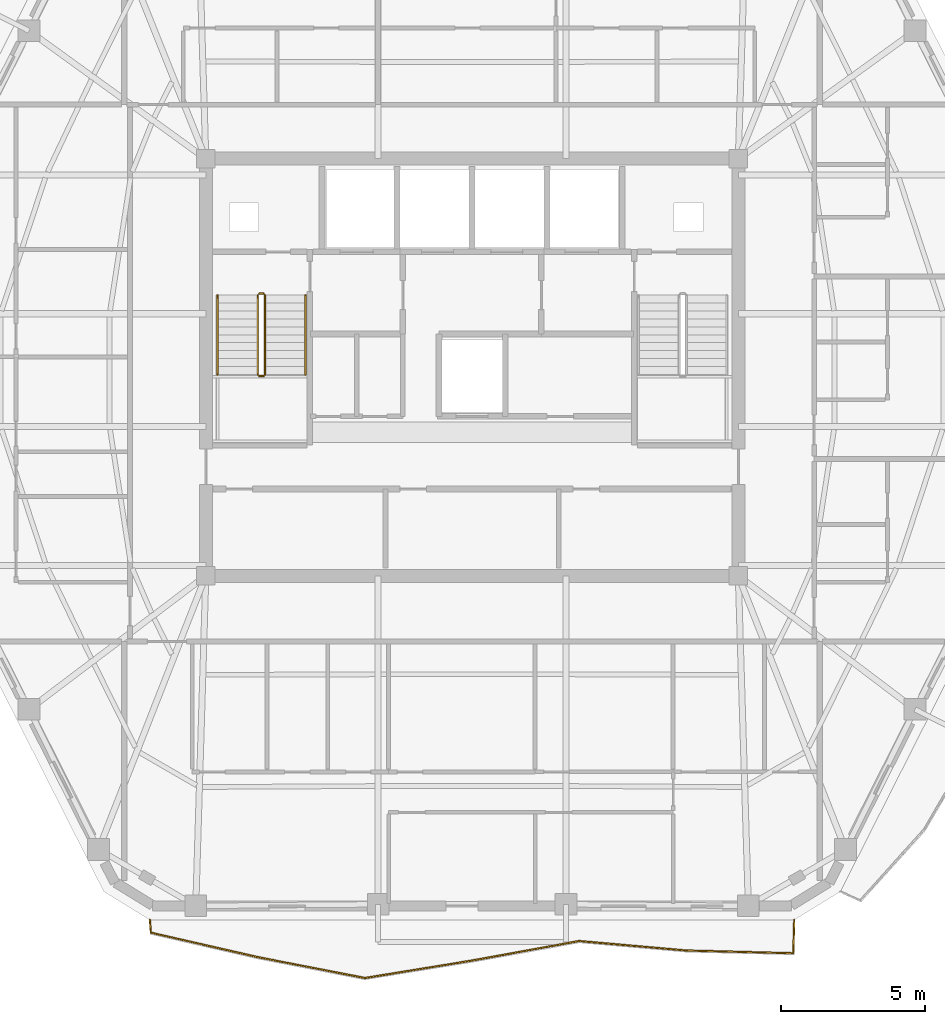
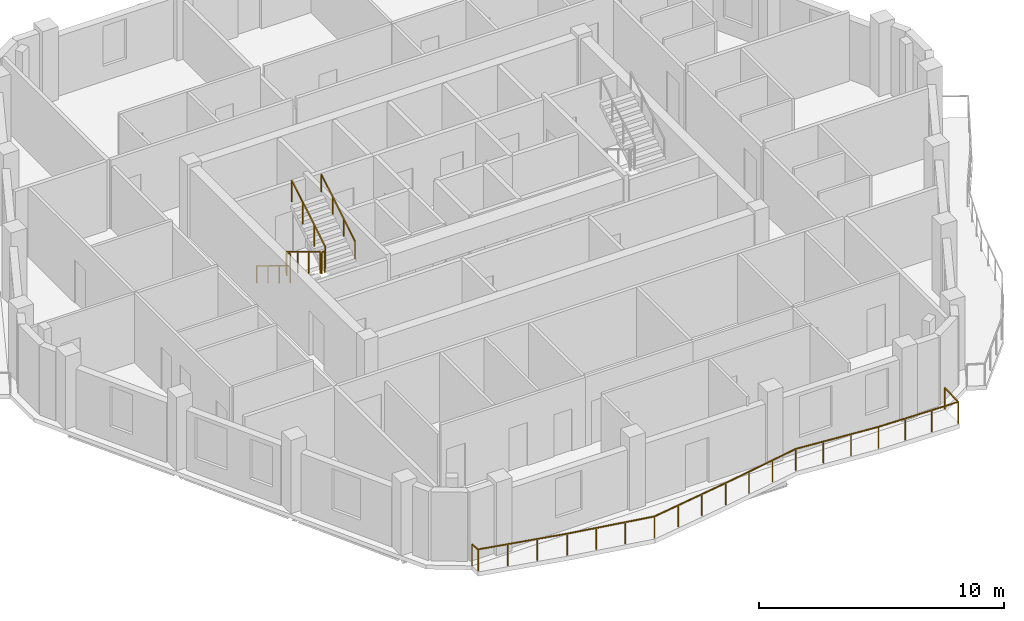
# One storey, part 9 of 11: 7 railings.
"""IFC4 building model written with IfcOpenShell, lengths in metres."""

from ifc_helpers import new_model, si_unit, direction, frame, origin, origin_2d, place, context, subcontext, project, spatial, rectangle, extrude, material, type_object, element, save


model = new_model("IFC4")

# Units and contexts
model_context = context("Model", 3, precision=1e-05, world=origin(), true_north=direction((0.0, 1.0)))
body_context = subcontext(model_context, "Body", "Model", "MODEL_VIEW")
ifc_project = project(units=[si_unit("LENGTHUNIT", "METRE"), si_unit("AREAUNIT", "SQUARE_METRE"), si_unit("VOLUMEUNIT", "CUBIC_METRE"), si_unit("PLANEANGLEUNIT", "RADIAN"), si_unit("MASSUNIT", "GRAM", prefix="KILO")], contexts=[model_context])

# Site, building, storey
site_placement = place(None, origin())
site = spatial("IfcSite", under=ifc_project, at=site_placement, CompositionType="ELEMENT")
building_placement = place(site_placement, origin())
building = spatial("IfcBuilding", under=site, at=building_placement, Name="Cinnabar Lancet Tower", CompositionType="ELEMENT")
storey_placement = place(building_placement, frame((0.0, 0.0, 252.550048828125)))
storey = spatial("IfcBuildingStorey", under=building, at=storey_placement, Name="L67", CompositionType="ELEMENT", Elevation=252.550048828125)

# Railings
ifc_material_1 = material(Name="Laminated safety glass and bronze stainless steel balustrade", Category="steel")
railing_type_1 = type_object("IfcRailingType", Name="ENV-RLG-BAL-1100", PredefinedType="BALUSTRADE", material=ifc_material_1)
railing_1_placement = place(storey_placement, frame((21.236083984375, 6.75, 0.0)))
element("IfcRailing", 1, at=railing_1_placement, inside=storey, type_object=railing_type_1, Name="L67 Face 1 Wave Balcony Balustrade", PredefinedType="BALUSTRADE", context=body_context, shape_type="SweptSolid", body=[
    extrude(rectangle(XDim=0.048095703125, YDim=0.048095703125, at=origin_2d()), frame((0.0, 0.0, 1.076171875), z_axis=(0.079282460162, -0.996852191406, 0.0), x_axis=(0.996852191406, 0.079282460162, 0.0)), (0.0, 0.0, 1.0), 0.4404296875),
    extrude(rectangle(XDim=0.048095703125, YDim=0.048095703125, at=origin_2d()), frame((0.034912109375, -0.43896484375, 1.076171875), z_axis=(0.974738137482, -0.223350763011, 0.0), x_axis=(0.223350763011, 0.974738137482, 0.0)), (0.0, 0.0, 1.0), 3.80615234375),
    extrude(rectangle(XDim=0.048095703125, YDim=0.048095703125, at=origin_2d()), frame((3.744873046875, -1.2890625, 1.076171875), z_axis=(0.981588485273, -0.191007972555, 0.0), x_axis=(0.191007972555, 0.981588485273, 0.0)), (0.0, 0.0, 1.0), 3.779541015625),
    extrude(rectangle(XDim=0.048095703125, YDim=0.048095703125, at=origin_2d()), frame((7.454833984375, -2.010986328125, 1.076171875), z_axis=(0.986956905738, 0.160984676963, 0.0), x_axis=(-0.160984676963, 0.986956905738, 0.0)), (0.0, 0.0, 1.0), 3.758056640625),
    extrude(rectangle(XDim=0.048095703125, YDim=0.048095703125, at=origin_2d()), frame((11.163818359375, -1.406005859375, 1.076171875), z_axis=(0.983783776804, 0.179358525018, 0.0), x_axis=(-0.179358525018, 0.983783776804, 0.0)), (0.0, 0.0, 1.0), 3.76904296875),
    extrude(rectangle(XDim=0.048095703125, YDim=0.048095703125, at=origin_2d()), frame((14.871826171875, -0.72998046875, 1.076171875), z_axis=(0.996114140813, -0.088071666683, 0.0), x_axis=(0.088071666683, 0.996114140813, 0.0)), (0.0, 0.0, 1.0), 3.7255859375),
    extrude(rectangle(XDim=0.048095703125, YDim=0.048095703125, at=origin_2d()), frame((18.5830078125, -1.05810546875, 1.076171875), z_axis=(0.999672682849, -0.025583728528, 0.0), x_axis=(0.025583728528, 0.999672682849, 0.0)), (0.0, 0.0, 1.0), 3.712158203125),
    extrude(rectangle(XDim=0.048095703125, YDim=0.048095703125, at=origin_2d()), frame((22.2939453125, -1.153076171875, 1.076171875), z_axis=(0.029417709415, 0.999567205531, 0.0), x_axis=(-0.999567205531, 0.029417709415, 0.0)), (0.0, 0.0, 1.0), 1.153564453125),
    extrude(rectangle(XDim=0.0419921875, YDim=0.0419921875, at=origin_2d()), origin(), (0.0, 0.0, 1.0), 1.052001953125),
    extrude(rectangle(XDim=0.0419921875, YDim=0.0419921875, at=origin_2d()), frame((0.034912109375, -0.43896484375, 0.0)), (0.0, 0.0, 1.0), 1.052001953125),
    extrude(rectangle(XDim=0.0419921875, YDim=0.0419921875, at=origin_2d()), frame((1.271484375, -0.722412109375, 0.0)), (0.0, 0.0, 1.0), 1.052001953125),
    extrude(rectangle(XDim=0.0419921875, YDim=0.0419921875, at=origin_2d()), frame((2.50830078125, -1.005615234375, 0.0)), (0.0, 0.0, 1.0), 1.052001953125),
    extrude(rectangle(XDim=0.0419921875, YDim=0.0419921875, at=origin_2d()), frame((3.744873046875, -1.2890625, 0.0)), (0.0, 0.0, 1.0), 1.052001953125),
    extrude(rectangle(XDim=0.0419921875, YDim=0.0419921875, at=origin_2d()), frame((4.9814453125, -1.52978515625, 0.0)), (0.0, 0.0, 1.0), 1.052001953125),
    extrude(rectangle(XDim=0.0419921875, YDim=0.0419921875, at=origin_2d()), frame((6.21826171875, -1.770263671875, 0.0)), (0.0, 0.0, 1.0), 1.052001953125),
    extrude(rectangle(XDim=0.0419921875, YDim=0.0419921875, at=origin_2d()), frame((7.454833984375, -2.010986328125, 0.0)), (0.0, 0.0, 1.0), 1.052001953125),
    extrude(rectangle(XDim=0.0419921875, YDim=0.0419921875, at=origin_2d()), frame((8.691162109375, -1.809326171875, 0.0)), (0.0, 0.0, 1.0), 1.052001953125),
    extrude(rectangle(XDim=0.0419921875, YDim=0.0419921875, at=origin_2d()), frame((9.927490234375, -1.607666015625, 0.0)), (0.0, 0.0, 1.0), 1.052001953125),
    extrude(rectangle(XDim=0.0419921875, YDim=0.0419921875, at=origin_2d()), frame((11.163818359375, -1.406005859375, 0.0)), (0.0, 0.0, 1.0), 1.052001953125),
    extrude(rectangle(XDim=0.0419921875, YDim=0.0419921875, at=origin_2d()), frame((12.39990234375, -1.1806640625, 0.0)), (0.0, 0.0, 1.0), 1.052001953125),
    extrude(rectangle(XDim=0.0419921875, YDim=0.0419921875, at=origin_2d()), frame((13.6357421875, -0.955322265625, 0.0)), (0.0, 0.0, 1.0), 1.052001953125),
    extrude(rectangle(XDim=0.0419921875, YDim=0.0419921875, at=origin_2d()), frame((14.871826171875, -0.72998046875, 0.0)), (0.0, 0.0, 1.0), 1.052001953125),
    extrude(rectangle(XDim=0.0419921875, YDim=0.0419921875, at=origin_2d()), frame((16.10888671875, -0.83935546875, 0.0)), (0.0, 0.0, 1.0), 1.052001953125),
    extrude(rectangle(XDim=0.0419921875, YDim=0.0419921875, at=origin_2d()), frame((17.345947265625, -0.94873046875, 0.0)), (0.0, 0.0, 1.0), 1.052001953125),
    extrude(rectangle(XDim=0.0419921875, YDim=0.0419921875, at=origin_2d()), frame((18.5830078125, -1.05810546875, 0.0)), (0.0, 0.0, 1.0), 1.052001953125),
    extrude(rectangle(XDim=0.0419921875, YDim=0.0419921875, at=origin_2d()), frame((19.820068359375, -1.08984375, 0.0)), (0.0, 0.0, 1.0), 1.052001953125),
    extrude(rectangle(XDim=0.0419921875, YDim=0.0419921875, at=origin_2d()), frame((21.056884765625, -1.121337890625, 0.0)), (0.0, 0.0, 1.0), 1.052001953125),
    extrude(rectangle(XDim=0.0419921875, YDim=0.0419921875, at=origin_2d()), frame((22.2939453125, -1.153076171875, 0.0)), (0.0, 0.0, 1.0), 1.052001953125),
    extrude(rectangle(XDim=0.0419921875, YDim=0.0419921875, at=origin_2d()), frame((22.327880859375, 0.0, 0.0)), (0.0, 0.0, 1.0), 1.052001953125),
])
ifc_material_2 = material(Name="Painted galvanized steel balustrade", Category="steel")
railing_type_2 = type_object("IfcRailingType", Name="GUARD-STAIR", PredefinedType="GUARDRAIL", material=ifc_material_2)
railing_2_placement = place(storey_placement, frame((24.97509765625, 28.39990234375, 0.165771484375)))
element("IfcRailing", 2, at=railing_2_placement, inside=storey, type_object=railing_type_2, Name="L67 ST-1 stair guard 1", PredefinedType="GUARDRAIL", context=body_context, shape_type="SweptSolid", body=[
    extrude(rectangle(XDim=0.048095703125, YDim=0.048095703125, at=origin_2d()), frame((0.0, 0.0, 1.076171875), z_axis=(0.0, -0.856229400918, 0.51659579267), x_axis=(1.0, 0.0, 0.0)), (0.0, 0.0, 1.0), 3.211669921875),
    extrude(rectangle(XDim=0.0419921875, YDim=0.0419921875, at=origin_2d()), origin(), (0.0, 0.0, 1.0), 1.052001953125),
    extrude(rectangle(XDim=0.0419921875, YDim=0.0419921875, at=origin_2d()), frame((0.0, -0.916748046875, 0.552978515625)), (0.0, 0.0, 1.0), 1.052001953125),
    extrude(rectangle(XDim=0.0419921875, YDim=0.0419921875, at=origin_2d()), frame((0.0, -1.833251953125, 1.106201171875)), (0.0, 0.0, 1.0), 1.052001953125),
    extrude(rectangle(XDim=0.0419921875, YDim=0.0419921875, at=origin_2d()), frame((0.0, -2.75, 1.6591796875)), (0.0, 0.0, 1.0), 1.052001953125),
])
railing_3_placement = place(storey_placement, frame((25.02490234375, 25.60009765625, 1.824951171875)))
element("IfcRailing", 3, at=railing_3_placement, inside=storey, type_object=railing_type_2, Name="L67 ST-1 stair guard 2", PredefinedType="GUARDRAIL", context=body_context, shape_type="SweptSolid", body=[
    extrude(rectangle(XDim=0.048095703125, YDim=0.048095703125, at=origin_2d()), frame((0.0, 0.0, 1.076171875), z_axis=(1.0, 0.0, 0.0), x_axis=(0.0, 1.0, 0.0)), (0.0, 0.0, 1.0), 0.150146484375),
    extrude(rectangle(XDim=0.0419921875, YDim=0.0419921875, at=origin_2d()), origin(), (0.0, 0.0, 1.0), 1.052001953125),
    extrude(rectangle(XDim=0.0419921875, YDim=0.0419921875, at=origin_2d()), frame((0.150146484375, 0.0, 0.0)), (0.0, 0.0, 1.0), 1.052001953125),
])
railing_4_placement = place(storey_placement, frame((25.22509765625, 25.64990234375, 1.990966796875)))
element("IfcRailing", 4, at=railing_4_placement, inside=storey, type_object=railing_type_2, Name="L67 ST-1 stair guard 3", PredefinedType="GUARDRAIL", context=body_context, shape_type="SweptSolid", body=[
    extrude(rectangle(XDim=0.048095703125, YDim=0.048095703125, at=origin_2d()), frame((0.0, 0.0, 1.076171875), z_axis=(0.0, 0.856263023582, 0.516540060834), x_axis=(-1.0, 0.0, 0.0)), (0.0, 0.0, 1.0), 3.211669921875),
    extrude(rectangle(XDim=0.0419921875, YDim=0.0419921875, at=origin_2d()), origin(), (0.0, 0.0, 1.0), 1.052001953125),
    extrude(rectangle(XDim=0.0419921875, YDim=0.0419921875, at=origin_2d()), frame((0.0, 0.916748046875, 0.552978515625)), (0.0, 0.0, 1.0), 1.052001953125),
    extrude(rectangle(XDim=0.0419921875, YDim=0.0419921875, at=origin_2d()), frame((0.0, 1.833251953125, 1.10595703125)), (0.0, 0.0, 1.0), 1.052001953125),
    extrude(rectangle(XDim=0.0419921875, YDim=0.0419921875, at=origin_2d()), frame((0.0, 2.75, 1.658935546875)), (0.0, 0.0, 1.0), 1.052001953125),
])
railing_5_placement = place(storey_placement, frame((25.02490234375, 28.449951171875, 0.0)))
element("IfcRailing", 5, at=railing_5_placement, inside=storey, type_object=railing_type_2, Name="L67 ST-1 stair guard 4", PredefinedType="GUARDRAIL", context=body_context, shape_type="SweptSolid", body=[
    extrude(rectangle(XDim=0.048095703125, YDim=0.048095703125, at=origin_2d()), frame((0.0, 0.0, 1.076171875), z_axis=(1.0, 0.0, 0.0), x_axis=(0.0, 1.0, 0.0)), (0.0, 0.0, 1.0), 0.150146484375),
    extrude(rectangle(XDim=0.0419921875, YDim=0.0419921875, at=origin_2d()), origin(), (0.0, 0.0, 1.0), 1.052001953125),
    extrude(rectangle(XDim=0.0419921875, YDim=0.0419921875, at=origin_2d()), frame((0.150146484375, 0.0, 0.0)), (0.0, 0.0, 1.0), 1.052001953125),
])
ifc_material_3 = material(Name="Brushed stainless steel handrail", Category="steel")
railing_type_3 = type_object("IfcRailingType", Name="HANDRAIL-STAIR", PredefinedType="HANDRAIL", material=ifc_material_3)
railing_6_placement = place(storey_placement, frame((23.574951171875, 28.39990234375, 0.165771484375)))
element("IfcRailing", 6, at=railing_6_placement, inside=storey, type_object=railing_type_3, Name="L67 ST-1 stair handrail 1", PredefinedType="HANDRAIL", context=body_context, shape_type="SweptSolid", body=[
    extrude(rectangle(XDim=0.048095703125, YDim=0.048095703125, at=origin_2d()), frame((0.0, 0.0, 0.8759765625), z_axis=(0.0, -0.856229400918, 0.51659579267), x_axis=(1.0, 0.0, 0.0)), (0.0, 0.0, 1.0), 3.211669921875),
    extrude(rectangle(XDim=0.0419921875, YDim=0.0419921875, at=origin_2d()), origin(), (0.0, 0.0, 1.0), 0.851806640625),
    extrude(rectangle(XDim=0.0419921875, YDim=0.0419921875, at=origin_2d()), frame((0.0, -0.916748046875, 0.552978515625)), (0.0, 0.0, 1.0), 0.851806640625),
    extrude(rectangle(XDim=0.0419921875, YDim=0.0419921875, at=origin_2d()), frame((0.0, -1.833251953125, 1.106201171875)), (0.0, 0.0, 1.0), 0.851806640625),
    extrude(rectangle(XDim=0.0419921875, YDim=0.0419921875, at=origin_2d()), frame((0.0, -2.75, 1.6591796875)), (0.0, 0.0, 1.0), 0.851806640625),
])
railing_7_placement = place(storey_placement, frame((26.625, 25.64990234375, 1.990966796875)))
element("IfcRailing", 7, at=railing_7_placement, inside=storey, type_object=railing_type_3, Name="L67 ST-1 stair handrail 2", PredefinedType="HANDRAIL", context=body_context, shape_type="SweptSolid", body=[
    extrude(rectangle(XDim=0.048095703125, YDim=0.048095703125, at=origin_2d()), frame((0.0, 0.0, 0.8759765625), z_axis=(0.0, 0.856263023582, 0.516540060834), x_axis=(-1.0, 0.0, 0.0)), (0.0, 0.0, 1.0), 3.211669921875),
    extrude(rectangle(XDim=0.0419921875, YDim=0.0419921875, at=origin_2d()), origin(), (0.0, 0.0, 1.0), 0.851806640625),
    extrude(rectangle(XDim=0.0419921875, YDim=0.0419921875, at=origin_2d()), frame((0.0, 0.916748046875, 0.552978515625)), (0.0, 0.0, 1.0), 0.851806640625),
    extrude(rectangle(XDim=0.0419921875, YDim=0.0419921875, at=origin_2d()), frame((0.0, 1.833251953125, 1.10595703125)), (0.0, 0.0, 1.0), 0.851806640625),
    extrude(rectangle(XDim=0.0419921875, YDim=0.0419921875, at=origin_2d()), frame((0.0, 2.75, 1.658935546875)), (0.0, 0.0, 1.0), 0.851806640625),
])

save(model, "model.ifc")
